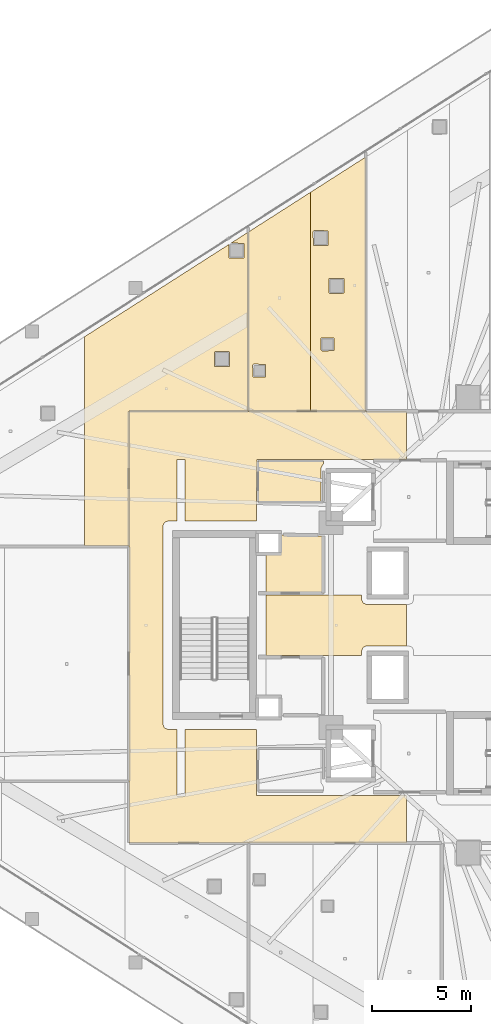
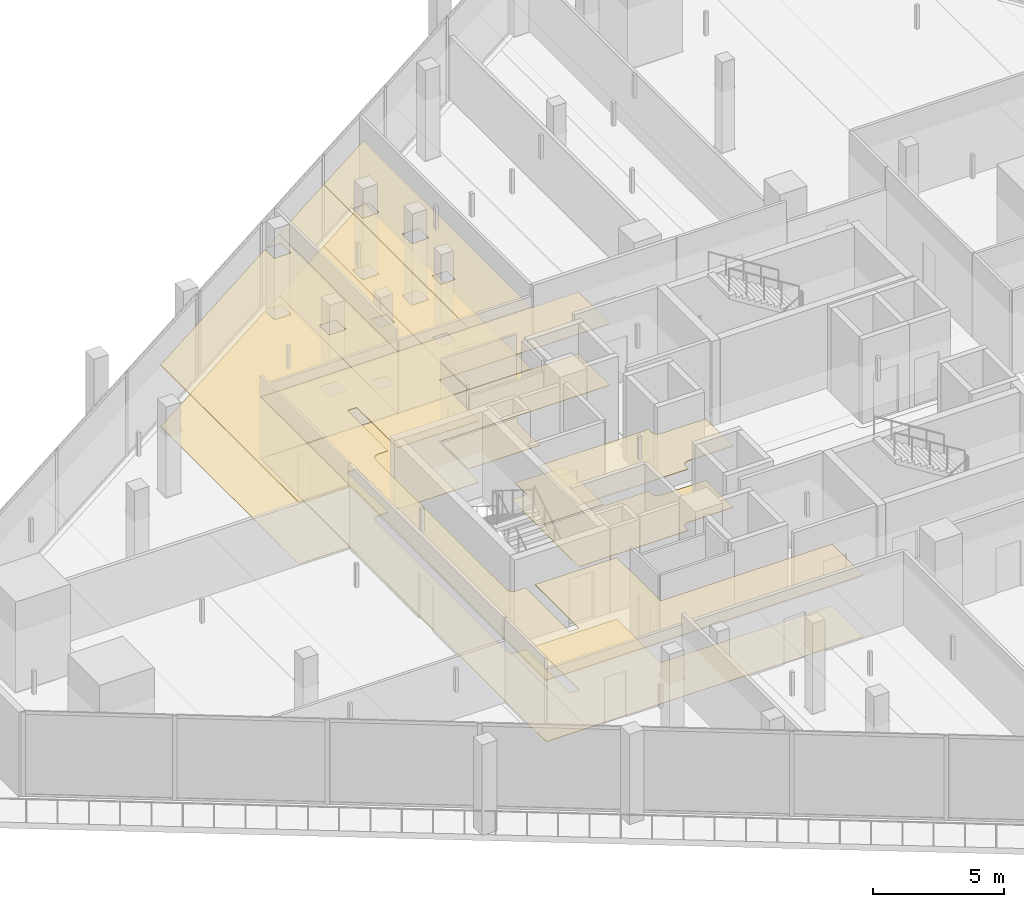
# One storey, part 42 of 45: 12 coverings.
"""IFC4 building model written with IfcOpenShell, lengths in metres."""

from ifc_helpers import new_model, si_unit, direction, frame, origin, place, context, subcontext, project, spatial, polyline, outline, extrude, material, layer, layer_set, type_object, element, save


model = new_model("IFC4")

# Units and contexts
model_context = context("Model", 3, precision=1e-05, world=origin(), true_north=direction((0.0, 1.0)))
body_context = subcontext(model_context, "Body", "Model", "MODEL_VIEW")
ifc_project = project(units=[si_unit("LENGTHUNIT", "METRE"), si_unit("AREAUNIT", "SQUARE_METRE"), si_unit("VOLUMEUNIT", "CUBIC_METRE"), si_unit("PLANEANGLEUNIT", "RADIAN"), si_unit("MASSUNIT", "GRAM", prefix="KILO")], contexts=[model_context])

# Site, building, storey
site_placement = place(None, origin())
site = spatial("IfcSite", under=ifc_project, at=site_placement, CompositionType="ELEMENT")
building_placement = place(site_placement, origin())
building = spatial("IfcBuilding", under=site, at=building_placement, Name="Qorvath Tower", CompositionType="ELEMENT")
storey_placement = place(building_placement, frame((0.0, 0.0, 66.0)))
storey = spatial("IfcBuildingStorey", under=building, at=storey_placement, Name="L14", CompositionType="ELEMENT", Elevation=66.0)

# Coverings
ifc_material_1 = material(Name="Acoustic mineral fibre ceiling tile", Category="gypsum")
ifc_layer_1 = layer(ifc_material_1, 0.030029296875)
ifc_layer_set_1 = layer_set([ifc_layer_1], Name="COV-CEIL")
covering_type_1 = type_object("IfcCoveringType", Name="COV-CEIL", PredefinedType="CEILING", material=ifc_layer_set_1)
covering_1_placement = place(storey_placement, frame((0.0, 0.0, 2.85009765625)))
element("IfcCovering", 1, at=covering_1_placement, inside=storey, type_object=covering_type_1, Name="L14 Suspended Acoustic Ceiling 007", PredefinedType="CEILING", context=body_context, shape_type="SweptSolid", body=[
    extrude(outline(polyline([(-26.71240234375, -10.945068359375), (-26.71240234375, -8.564208984375), (-34.25, -8.56494140625), (-34.2548828125, -5.239990234375), (-37.844970703125, -5.239990234375), (-37.844970703125, -8.580078125), (-38.2548828125, -8.580078125), (-38.2548828125, -5.239990234375), (-38.699951171875, -5.239990234375), (-38.876708984375, -5.166748046875), (-38.949951171875, -4.989990234375), (-38.949951171875, 4.989990234375), (-38.876708984375, 5.166748046875), (-38.699951171875, 5.239990234375), (-38.2548828125, 5.239990234375), (-38.25341796875, 8.323486328125), (-37.844970703125, 8.320068359375), (-37.844970703125, 5.239990234375), (-34.2509765625, 5.239990234375), (-34.219970703125, 8.324951171875), (-26.71240234375, 8.324951171875), (-26.71240234375, 10.7451171875), (-40.64501953125, 10.7451171875), (-40.64501953125, -10.945068359375), (-26.71240234375, -10.945068359375)])), origin(), (0.0, 0.0, 1.0), 0.030029296875),
])
covering_2_placement = place(storey_placement, frame((0.0, 0.0, 2.85009765625)))
element("IfcCovering", 2, at=covering_2_placement, inside=storey, type_object=covering_type_1, Name="L14 Suspended Acoustic Ceiling 008", PredefinedType="CEILING", context=body_context, shape_type="SweptSolid", body=[
    extrude(outline(polyline([(-26.71240234375, -1.0400390625), (-26.71240234375, 1.0400390625), (-28.7099609375, 1.0400390625), (-28.88671875, 1.11328125), (-28.9599609375, 1.2900390625), (-28.9599609375, 1.514892578125), (-33.760009765625, 1.514892578125), (-33.760009765625, -1.514892578125), (-28.9599609375, -1.514892578125), (-28.9599609375, -1.2900390625), (-28.88671875, -1.11328125), (-28.7099609375, -1.0400390625), (-26.71240234375, -1.0400390625)])), origin(), (0.0, 0.0, 1.0), 0.030029296875),
])
covering_3_placement = place(storey_placement, frame((0.0, 0.0, 2.85009765625)))
element("IfcCovering", 3, at=covering_3_placement, inside=storey, type_object=covering_type_1, Name="L14 Suspended Acoustic Ceiling 010", PredefinedType="CEILING", context=body_context, shape_type="SweptSolid", body=[
    extrude(outline(polyline([(-31.54052734375, 10.762939453125), (-31.54052734375, 21.760009765625), (-34.64501953125, 19.77587890625), (-34.64501953125, 10.762939453125), (-31.54052734375, 10.762939453125)]), holes=[polyline([(-34.439208984375, 13.0673828125), (-34.379150390625, 13.12744140625), (-33.786865234375, 13.10986328125), (-33.786865234375, 12.47509765625), (-34.421630859375, 12.47509765625), (-34.439208984375, 13.0673828125)])]), origin(), (0.0, 0.0, 1.0), 0.030029296875),
])
covering_4_placement = place(storey_placement, frame((0.0, 0.0, 2.85009765625)))
element("IfcCovering", 4, at=covering_4_placement, inside=storey, type_object=covering_type_1, Name="L14 Suspended Acoustic Ceiling 011", PredefinedType="CEILING", context=body_context, shape_type="SweptSolid", body=[
    extrude(outline(polyline([(-28.7646484375, 10.762939453125), (-28.7646484375, 23.5341796875), (-31.54052734375, 21.760009765625), (-31.54052734375, 10.762939453125), (-28.7646484375, 10.762939453125)]), holes=[polyline([(-30.60986328125, 16.734619140625), (-30.59228515625, 17.427001953125), (-29.857421875, 17.427001953125), (-29.857421875, 16.692138671875), (-30.5498046875, 16.674560546875), (-30.60986328125, 16.734619140625)]), polyline([(-31.01220703125, 13.849365234375), (-30.99462890625, 14.441650390625), (-30.35986328125, 14.441650390625), (-30.35986328125, 13.806884765625), (-30.9521484375, 13.789306640625), (-31.01220703125, 13.849365234375)]), polyline([(-31.401123046875, 19.785400390625), (-31.341064453125, 19.845458984375), (-30.648681640625, 19.827880859375), (-30.648681640625, 19.093017578125), (-31.383544921875, 19.093017578125), (-31.401123046875, 19.785400390625)])]), origin(), (0.0, 0.0, 1.0), 0.030029296875),
])
covering_5_placement = place(storey_placement, frame((0.0, 0.0, 2.85009765625)))
element("IfcCovering", 5, at=covering_5_placement, inside=storey, type_object=covering_type_1, Name="L14 Suspended Acoustic Ceiling 044", PredefinedType="CEILING", context=body_context, shape_type="SweptSolid", body=[
    extrude(outline(polyline([(-34.6630859375, 10.762939453125), (-34.6630859375, 19.764404296875), (-35.5234375, 19.21435546875), (-34.88427734375, 19.19677734375), (-34.88427734375, 18.4619140625), (-35.619140625, 18.4619140625), (-35.63671875, 19.141845703125), (-42.900634765625, 14.499267578125), (-42.900634765625, 3.969482421875), (-40.6630859375, 3.969482421875), (-40.66162109375, 10.761474609375), (-34.6630859375, 10.762939453125)]), holes=[polyline([(-36.36572265625, 13.705810546875), (-36.3056640625, 13.765869140625), (-35.61328125, 13.748291015625), (-35.61328125, 13.013427734375), (-36.34814453125, 13.013427734375), (-36.36572265625, 13.705810546875)])]), origin(), (0.0, 0.0, 1.0), 0.030029296875),
])
ifc_material_2 = material(Name="Low-VOC modular carpet tile", Category="textile")
ifc_layer_2 = layer(ifc_material_2, 0.014892578125)
ifc_layer_set_2 = layer_set([ifc_layer_2], Name="COV-FLOOR-CPT")
covering_type_2 = type_object("IfcCoveringType", Name="COV-FLOOR-CPT", PredefinedType="FLOORING", material=ifc_layer_set_2)
covering_6_placement = place(storey_placement, origin())
element("IfcCovering", 6, at=covering_6_placement, inside=storey, type_object=covering_type_2, Name="L14 Floor Finish 004", PredefinedType="FLOORING", context=body_context, shape_type="SweptSolid", body=[
    extrude(outline(polyline([(-33.760009765625, 3.636962890625), (-33.760009765625, 1.60498046875), (-30.885009765625, 1.60498046875), (-30.885009765625, 4.489990234375), (-33.0869140625, 4.534912109375), (-33.092041015625, 3.636962890625), (-33.760009765625, 3.636962890625)])), origin(), (0.0, 0.0, 1.0), 0.014892578125),
])
covering_7_placement = place(storey_placement, origin())
element("IfcCovering", 7, at=covering_7_placement, inside=storey, type_object=covering_type_2, Name="L14 Floor Finish 010", PredefinedType="FLOORING", context=body_context, shape_type="SweptSolid", body=[
    extrude(outline(polyline([(-31.54052734375, 10.762939453125), (-31.54052734375, 21.760009765625), (-34.64501953125, 19.77587890625), (-34.64501953125, 10.762939453125), (-31.54052734375, 10.762939453125)]), holes=[polyline([(-34.439208984375, 13.0673828125), (-34.379150390625, 13.12744140625), (-33.786865234375, 13.10986328125), (-33.786865234375, 12.47509765625), (-34.421630859375, 12.47509765625), (-34.439208984375, 13.0673828125)])]), origin(), (0.0, 0.0, 1.0), 0.014892578125),
])
covering_8_placement = place(storey_placement, origin())
element("IfcCovering", 8, at=covering_8_placement, inside=storey, type_object=covering_type_2, Name="L14 Floor Finish 011", PredefinedType="FLOORING", context=body_context, shape_type="SweptSolid", body=[
    extrude(outline(polyline([(-28.7646484375, 10.762939453125), (-28.7646484375, 23.5341796875), (-31.54052734375, 21.760009765625), (-31.54052734375, 10.762939453125), (-28.7646484375, 10.762939453125)]), holes=[polyline([(-30.60986328125, 16.734619140625), (-30.59228515625, 17.427001953125), (-29.857421875, 17.427001953125), (-29.857421875, 16.692138671875), (-30.5498046875, 16.674560546875), (-30.60986328125, 16.734619140625)]), polyline([(-31.01220703125, 13.849365234375), (-30.99462890625, 14.441650390625), (-30.35986328125, 14.441650390625), (-30.35986328125, 13.806884765625), (-30.9521484375, 13.789306640625), (-31.01220703125, 13.849365234375)]), polyline([(-31.401123046875, 19.785400390625), (-31.341064453125, 19.845458984375), (-30.648681640625, 19.827880859375), (-30.648681640625, 19.093017578125), (-31.383544921875, 19.093017578125), (-31.401123046875, 19.785400390625)])]), origin(), (0.0, 0.0, 1.0), 0.014892578125),
])
covering_9_placement = place(storey_placement, origin())
element("IfcCovering", 9, at=covering_9_placement, inside=storey, type_object=covering_type_2, Name="L14 Floor Finish 044", PredefinedType="FLOORING", context=body_context, shape_type="SweptSolid", body=[
    extrude(outline(polyline([(-34.6630859375, 10.762939453125), (-34.6630859375, 19.764404296875), (-35.5234375, 19.21435546875), (-34.88427734375, 19.19677734375), (-34.88427734375, 18.4619140625), (-35.619140625, 18.4619140625), (-35.63671875, 19.141845703125), (-42.900634765625, 14.499267578125), (-42.900634765625, 3.969482421875), (-40.6630859375, 3.969482421875), (-40.66162109375, 10.761474609375), (-34.6630859375, 10.762939453125)]), holes=[polyline([(-36.36572265625, 13.705810546875), (-36.3056640625, 13.765869140625), (-35.61328125, 13.748291015625), (-35.61328125, 13.013427734375), (-36.34814453125, 13.013427734375), (-36.36572265625, 13.705810546875)])]), origin(), (0.0, 0.0, 1.0), 0.014892578125),
])
ifc_material_3 = material(Name="Polished epoxy terrazzo flooring", Category="concrete")
ifc_layer_3 = layer(ifc_material_3, 0.02001953125)
ifc_layer_set_3 = layer_set([ifc_layer_3], Name="COV-FLOOR-TRZ")
covering_type_3 = type_object("IfcCoveringType", Name="COV-FLOOR-TRZ", PredefinedType="FLOORING", material=ifc_layer_set_3)
covering_10_placement = place(storey_placement, origin())
element("IfcCovering", 10, at=covering_10_placement, inside=storey, type_object=covering_type_3, Name="L14 Floor Finish 003", PredefinedType="FLOORING", context=body_context, shape_type="SweptSolid", body=[
    extrude(outline(polyline([(-31.010009765625, 6.205078125), (-31.010009765625, 7.909912109375), (-30.885009765625, 8.108154296875), (-30.885009765625, 8.2451171875), (-34.175048828125, 8.2451171875), (-34.175048828125, 6.205078125), (-31.010009765625, 6.205078125)])), origin(), (0.0, 0.0, 1.0), 0.014892578125),
])
covering_11_placement = place(storey_placement, origin())
element("IfcCovering", 11, at=covering_11_placement, inside=storey, type_object=covering_type_3, Name="L14 Floor Finish 007", PredefinedType="FLOORING", context=body_context, shape_type="SweptSolid", body=[
    extrude(outline(polyline([(-26.71240234375, -10.945068359375), (-26.71240234375, -8.564208984375), (-34.25, -8.56494140625), (-34.2548828125, -5.239990234375), (-37.844970703125, -5.239990234375), (-37.844970703125, -8.580078125), (-38.2548828125, -8.580078125), (-38.2548828125, -5.239990234375), (-38.699951171875, -5.239990234375), (-38.876708984375, -5.166748046875), (-38.949951171875, -4.989990234375), (-38.949951171875, 4.989990234375), (-38.876708984375, 5.166748046875), (-38.699951171875, 5.239990234375), (-38.2548828125, 5.239990234375), (-38.25341796875, 8.323486328125), (-37.844970703125, 8.320068359375), (-37.844970703125, 5.239990234375), (-34.2509765625, 5.239990234375), (-34.219970703125, 8.324951171875), (-26.71240234375, 8.324951171875), (-26.71240234375, 10.7451171875), (-40.64501953125, 10.7451171875), (-40.64501953125, -10.945068359375), (-26.71240234375, -10.945068359375)])), origin(), (0.0, 0.0, 1.0), 0.014892578125),
])
covering_12_placement = place(storey_placement, origin())
element("IfcCovering", 12, at=covering_12_placement, inside=storey, type_object=covering_type_3, Name="L14 Floor Finish 008", PredefinedType="FLOORING", context=body_context, shape_type="SweptSolid", body=[
    extrude(outline(polyline([(-26.71240234375, -1.0400390625), (-26.71240234375, 1.0400390625), (-28.7099609375, 1.0400390625), (-28.88671875, 1.11328125), (-28.9599609375, 1.2900390625), (-28.9599609375, 1.514892578125), (-33.760009765625, 1.514892578125), (-33.760009765625, -1.514892578125), (-28.9599609375, -1.514892578125), (-28.9599609375, -1.2900390625), (-28.88671875, -1.11328125), (-28.7099609375, -1.0400390625), (-26.71240234375, -1.0400390625)])), origin(), (0.0, 0.0, 1.0), 0.014892578125),
])

save(model, "model.ifc")
